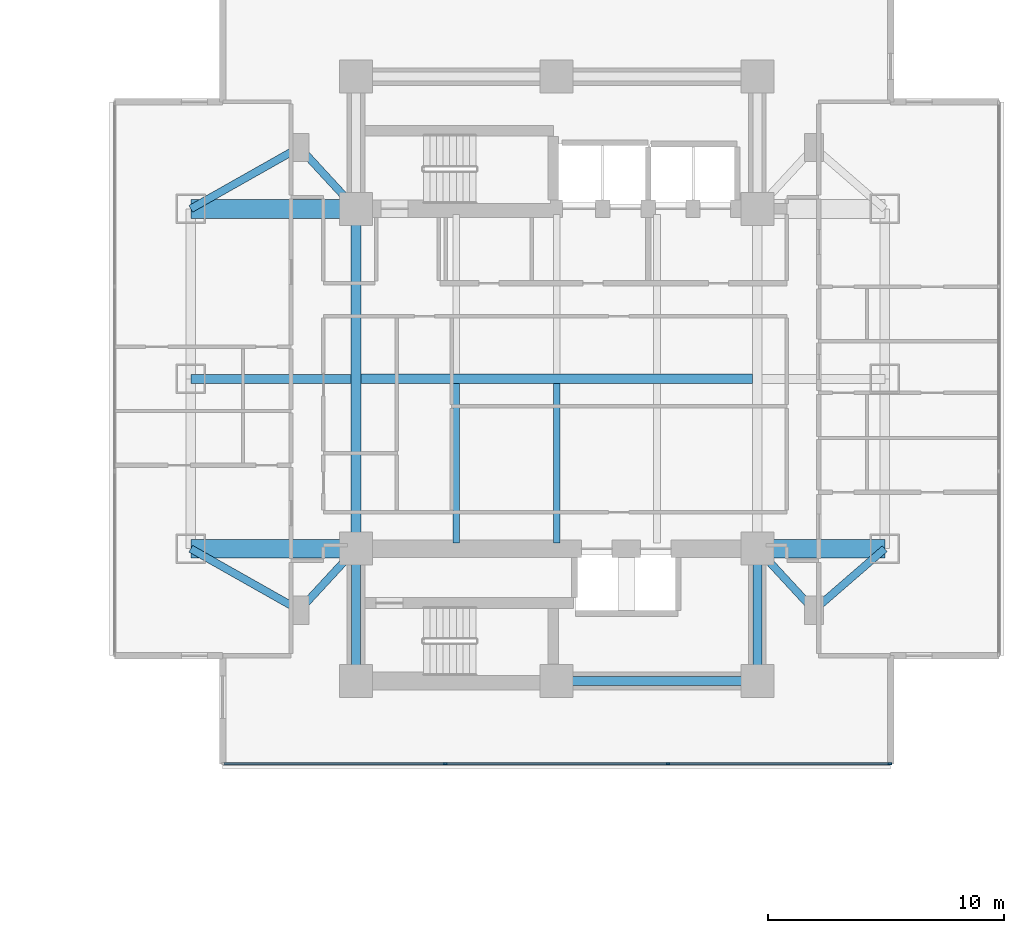
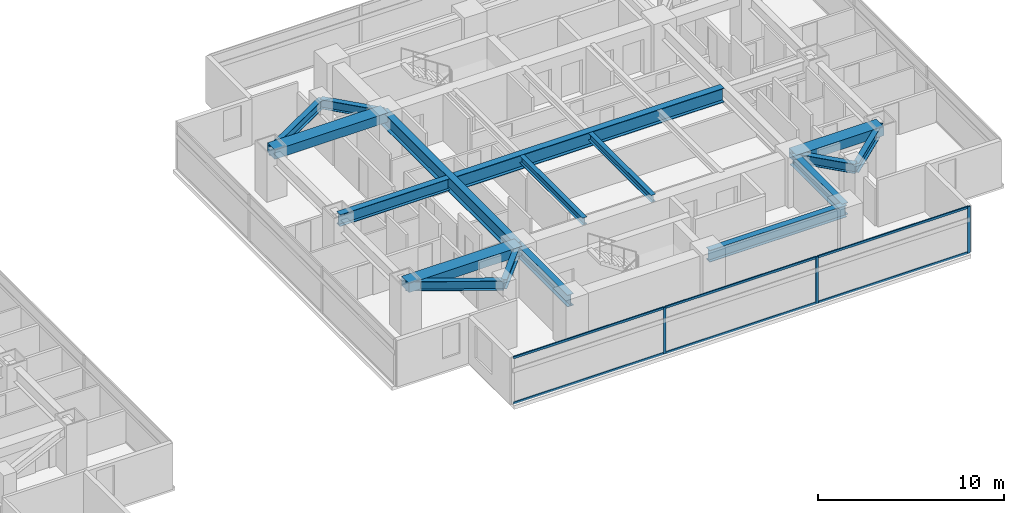
# One storey, part 9 of 25: 17 beams, 9 members, 1 element without a shape of its own.
"""IFC4 building model written with IfcOpenShell, lengths in metres."""

from ifc_helpers import new_model, si_unit, direction, frame, origin, origin_2d, place, context, subcontext, project, spatial, rectangle, i_section, extrude, material, material_profile, profile_set, type_object, element, aggregate, save


model = new_model("IFC4")

# Units and contexts
model_context = context("Model", 3, precision=1e-05, world=origin(), true_north=direction((0.0, 1.0)))
body_context = subcontext(model_context, "Body", "Model", "MODEL_VIEW")
ifc_project = project(units=[si_unit("LENGTHUNIT", "METRE"), si_unit("AREAUNIT", "SQUARE_METRE"), si_unit("VOLUMEUNIT", "CUBIC_METRE"), si_unit("PLANEANGLEUNIT", "RADIAN"), si_unit("MASSUNIT", "GRAM", prefix="KILO")], contexts=[model_context])

# Site, building, storey
site_placement = place(None, origin())
site = spatial("IfcSite", under=ifc_project, at=site_placement, CompositionType="ELEMENT")
building_placement = place(site_placement, origin())
building = spatial("IfcBuilding", under=site, at=building_placement, Name="Mirazonda Arch Towers", CompositionType="ELEMENT")
storey_placement = place(building_placement, frame((0.0, 0.0, 35.60009765625)))
storey = spatial("IfcBuildingStorey", under=building, at=storey_placement, Name="L09", CompositionType="ELEMENT", Elevation=35.60009765625)

# Beams
ifc_material_1 = material(Name="Steel ASTM A992 Grade 50", Category="steel")
ifc_material_profile_1 = material_profile(ifc_material_1, i_section(OverallWidth=0.280029296875, OverallDepth=0.462890625, WebThickness=0.0107421875, FlangeThickness=0.017333984375, at=origin_2d()), Name="W18X76")
ifc_profile_set_1 = profile_set([ifc_material_profile_1], Name="Steel ASTM A992 Grade 50")
beam_type_1 = type_object("IfcBeamType", Name="BM-INT-W18X76", PredefinedType="JOIST", material=ifc_profile_set_1)
for number, where, z_axis, x_axis, name in (
    (1, (72.25, 21.0400390625, 2.828369140625), (0.0, 1.0, 0.0), (-1.0, 0.0, 0.0), "L09 Floor Beam BM-T2-L09-J-722-20"),
    (2, (76.5, 21.0400390625, 2.828369140625), (0.0, 1.0, 0.0), (-1.0, 0.0, 0.0), "L09 Floor Beam BM-T2-L09-J-765-20"),
):
    element("IfcBeam", number, at=place(storey_placement, frame(where, z_axis=z_axis, x_axis=x_axis)), inside=storey, type_object=beam_type_1, Name=name, PredefinedType="JOIST", context=body_context, shape_type="SweptSolid", body=[
        extrude(i_section(OverallWidth=0.280029296875, OverallDepth=0.462890625, WebThickness=0.0107421875, FlangeThickness=0.017333984375, at=origin_2d()), origin(), (0.0, 0.0, 1.0), 6.7548828125),
    ])
ifc_material_profile_2 = material_profile(ifc_material_1, i_section(OverallWidth=0.324951171875, OverallDepth=0.615966796875, WebThickness=0.013916015625, FlangeThickness=0.021484375, at=origin_2d()), Name="W24X117")
ifc_profile_set_2 = profile_set([ifc_material_profile_2], Name="Steel ASTM A992 Grade 50")
beam_type_2 = type_object("IfcBeamType", Name="BM-INT-W24X117", PredefinedType="BEAM", material=ifc_profile_set_2)
beam_1_placement = place(storey_placement, frame((65.60009765625, 18.199951171875, 2.751953125), z_axis=(0.678251444854, 0.734829897019, 0.0), x_axis=(-0.734829897019, 0.678251444854, 0.0)))
element("IfcBeam", 3, at=beam_1_placement, inside=storey, type_object=beam_type_2, Name="L09 Floor Beam BM-T2-L09-PL-SW1", PredefinedType="BEAM", context=body_context, shape_type="SweptSolid", body=[
    extrude(i_section(OverallWidth=0.324951171875, OverallDepth=0.615966796875, WebThickness=0.013916015625, FlangeThickness=0.021484375, at=origin_2d()), origin(), (0.0, 0.0, 1.0), 3.538330078125),
])
beam_2_placement = place(storey_placement, frame((65.60009765625, 18.199951171875, 2.751953125), z_axis=(-0.870559396632, 0.492063346467, 0.0), x_axis=(-0.492063346467, -0.870559396632, 0.0)))
element("IfcBeam", 4, at=beam_2_placement, inside=storey, type_object=beam_type_2, Name="L09 Floor Beam BM-T2-L09-PL-SW2", PredefinedType="BEAM", context=body_context, shape_type="SweptSolid", body=[
    extrude(i_section(OverallWidth=0.324951171875, OverallDepth=0.615966796875, WebThickness=0.013916015625, FlangeThickness=0.021484375, at=origin_2d()), origin(), (0.0, 0.0, 1.0), 5.2841796875),
])
beam_3_placement = place(storey_placement, frame((87.39990234375, 18.199951171875, 2.751953125), z_axis=(-0.678251444854, 0.734829897019, 0.0), x_axis=(-0.734829897019, -0.678251444854, 0.0)))
element("IfcBeam", 5, at=beam_3_placement, inside=storey, type_object=beam_type_2, Name="L09 Floor Beam BM-T2-L09-PL-SE1", PredefinedType="BEAM", context=body_context, shape_type="SweptSolid", body=[
    extrude(i_section(OverallWidth=0.324951171875, OverallDepth=0.615966796875, WebThickness=0.013916015625, FlangeThickness=0.021484375, at=origin_2d()), origin(), (0.0, 0.0, 1.0), 3.538330078125),
])
beam_4_placement = place(storey_placement, frame((87.39990234375, 18.199951171875, 2.751953125), z_axis=(0.755676908098, 0.654944585876, 0.0), x_axis=(-0.654944585876, 0.755676908098, 0.0)))
element("IfcBeam", 6, at=beam_4_placement, inside=storey, type_object=beam_type_2, Name="L09 Floor Beam BM-T2-L09-PL-SE2", PredefinedType="BEAM", context=body_context, shape_type="SweptSolid", body=[
    extrude(i_section(OverallWidth=0.324951171875, OverallDepth=0.615966796875, WebThickness=0.013916015625, FlangeThickness=0.021484375, at=origin_2d()), origin(), (0.0, 0.0, 1.0), 3.969970703125),
])
beam_5_placement = place(storey_placement, frame((65.60009765625, 37.800048828125, 2.751953125), z_axis=(0.678251444854, -0.734829897019, 0.0), x_axis=(0.734829897019, 0.678251444854, 0.0)))
element("IfcBeam", 7, at=beam_5_placement, inside=storey, type_object=beam_type_2, Name="L09 Floor Beam BM-T2-L09-PL-NW1", PredefinedType="BEAM", context=body_context, shape_type="SweptSolid", body=[
    extrude(i_section(OverallWidth=0.324951171875, OverallDepth=0.615966796875, WebThickness=0.013916015625, FlangeThickness=0.021484375, at=origin_2d()), origin(), (0.0, 0.0, 1.0), 3.538330078125),
])
beam_6_placement = place(storey_placement, frame((65.60009765625, 37.800048828125, 2.751953125), z_axis=(-0.870559396632, -0.492063346467, 0.0), x_axis=(0.492063346467, -0.870559396632, 0.0)))
element("IfcBeam", 8, at=beam_6_placement, inside=storey, type_object=beam_type_2, Name="L09 Floor Beam BM-T2-L09-PL-NW2", PredefinedType="BEAM", context=body_context, shape_type="SweptSolid", body=[
    extrude(i_section(OverallWidth=0.324951171875, OverallDepth=0.615966796875, WebThickness=0.013916015625, FlangeThickness=0.021484375, at=origin_2d()), origin(), (0.0, 0.0, 1.0), 5.2841796875),
])
ifc_material_profile_3 = material_profile(ifc_material_1, i_section(OverallWidth=0.381103515625, OverallDepth=0.77294921875, WebThickness=0.0166015625, FlangeThickness=0.027099609375, at=origin_2d()), Name="W30X173")
ifc_profile_set_3 = profile_set([ifc_material_profile_3], Name="Steel ASTM A992 Grade 50")
beam_type_3 = type_object("IfcBeamType", Name="BM-INT-W30X173", PredefinedType="USERDEFINED", material=ifc_profile_set_3)
beam_7_placement = place(storey_placement, frame((76.5, 15.199951171875, 2.67333984375), z_axis=(1.0, 0.0, 0.0), x_axis=(0.0, 1.0, 0.0)))
element("IfcBeam", 9, at=beam_7_placement, inside=storey, type_object=beam_type_3, Name="L09 Floor Beam BM-T2-L09-CS2", ObjectType="GIRDER", PredefinedType="USERDEFINED", context=body_context, shape_type="SweptSolid", body=[
    extrude(i_section(OverallWidth=0.381103515625, OverallDepth=0.77294921875, WebThickness=0.0166015625, FlangeThickness=0.027099609375, at=origin_2d()), origin(), (0.0, 0.0, 1.0), 8.5),
])
for number, where, z_axis, x_axis, name in (
    (10, (68.0, 15.199951171875, 2.67333984375), (0.0, 1.0, 0.0), (-1.0, 0.0, 0.0), "L09 Floor Beam BM-T2-L09-CSW"),
    (11, (85.0, 15.199951171875, 2.67333984375), (0.0, 1.0, 0.0), (-1.0, 0.0, 0.0), "L09 Floor Beam BM-T2-L09-CSE"),
):
    element("IfcBeam", number, at=place(storey_placement, frame(where, z_axis=z_axis, x_axis=x_axis)), inside=storey, type_object=beam_type_3, Name=name, ObjectType="GIRDER", PredefinedType="USERDEFINED", context=body_context, shape_type="SweptSolid", body=[
        extrude(i_section(OverallWidth=0.381103515625, OverallDepth=0.77294921875, WebThickness=0.0166015625, FlangeThickness=0.027099609375, at=origin_2d()), origin(), (0.0, 0.0, 1.0), 5.60009765625),
    ])
beam_8_placement = place(storey_placement, frame((61.0, 28.0, 2.67333984375), z_axis=(1.0, 0.0, 0.0), x_axis=(0.0, 1.0, 0.0)))
element("IfcBeam", 12, at=beam_8_placement, inside=storey, type_object=beam_type_3, Name="L09 Floor Beam BM-T2-L09-GW2", ObjectType="GIRDER", PredefinedType="USERDEFINED", context=body_context, shape_type="SweptSolid", body=[
    extrude(i_section(OverallWidth=0.381103515625, OverallDepth=0.77294921875, WebThickness=0.0166015625, FlangeThickness=0.027099609375, at=origin_2d()), origin(), (0.0, 0.0, 1.0), 6.791015625),
])
ifc_material_profile_4 = material_profile(ifc_material_1, i_section(OverallWidth=0.41796875, OverallDepth=0.927001953125, WebThickness=0.019287109375, FlangeThickness=0.031982421875, at=origin_2d()), Name="W36X231")
ifc_profile_set_4 = profile_set([ifc_material_profile_4], Name="Steel ASTM A992 Grade 50")
beam_type_4 = type_object("IfcBeamType", Name="BM-INT-W36X231", PredefinedType="USERDEFINED", material=ifc_profile_set_4)
beam_9_placement = place(storey_placement, frame((68.208984375, 28.0, 2.596435546875), z_axis=(1.0, 0.0, 0.0), x_axis=(0.0, 1.0, 0.0)))
element("IfcBeam", 13, at=beam_9_placement, inside=storey, type_object=beam_type_4, Name="L09 Floor Beam BM-T2-L09-GC2", ObjectType="GIRDER", PredefinedType="USERDEFINED", context=body_context, shape_type="SweptSolid", body=[
    extrude(i_section(OverallWidth=0.41796875, OverallDepth=0.927001953125, WebThickness=0.019287109375, FlangeThickness=0.031982421875, at=origin_2d()), origin(), (0.0, 0.0, 1.0), 16.58203125),
])
beam_10_placement = place(storey_placement, frame((68.0, 20.800048828125, 2.596435546875), z_axis=(0.0, 1.0, 0.0), x_axis=(-1.0, 0.0, 0.0)))
element("IfcBeam", 14, at=beam_10_placement, inside=storey, type_object=beam_type_4, Name="L09 Floor Beam BM-T2-L09-NS-CW-FULL", ObjectType="GIRDER", PredefinedType="USERDEFINED", context=body_context, shape_type="SweptSolid", body=[
    extrude(i_section(OverallWidth=0.41796875, OverallDepth=0.927001953125, WebThickness=0.019287109375, FlangeThickness=0.031982421875, at=origin_2d()), origin(), (0.0, 0.0, 1.0), 14.39990234375),
])
ifc_material_2 = material(Name="Concrete C60/75", Category="concrete")
ifc_material_profile_5 = material_profile(ifc_material_2, rectangle(XDim=0.800048828125, YDim=0.60009765625, at=origin_2d()), Name="RCCB800x600")
ifc_profile_set_5 = profile_set([ifc_material_profile_5], Name="Concrete C60/75")
beam_type_5 = type_object("IfcBeamType", Name="CB-INT-RCCB800x600", PredefinedType="SPANDREL", material=ifc_profile_set_5)
for number, where, z_axis, x_axis, name in (
    (15, (61.0, 35.199951171875, 2.760009765625), (1.0, 0.0, 0.0), (0.0, 1.0, 0.0), "L09 Floor Beam CBC-T2-L09-NW"),
    (16, (61.0, 20.800048828125, 2.760009765625), (1.0, 0.0, 0.0), (0.0, 1.0, 0.0), "L09 Floor Beam CBC-T2-L09-SW"),
):
    element("IfcBeam", number, at=place(storey_placement, frame(where, z_axis=z_axis, x_axis=x_axis)), inside=storey, type_object=beam_type_5, Name=name, PredefinedType="SPANDREL", context=body_context, shape_type="SweptSolid", body=[
        extrude(rectangle(XDim=0.800048828125, YDim=0.60009765625, at=origin_2d()), origin(), (0.0, 0.0, 1.0), 7.0),
    ])
beam_11_placement = place(storey_placement, frame((85.0, 20.800048828125, 2.760009765625), z_axis=(1.0, 0.0, 0.0), x_axis=(0.0, 1.0, 0.0)))
element("IfcBeam", 17, at=beam_11_placement, inside=storey, type_object=beam_type_5, Name="L09 Floor Beam CBC-T2-L09-SE", PredefinedType="SPANDREL", context=body_context, shape_type="SweptSolid", body=[
    extrude(rectangle(XDim=0.800048828125, YDim=0.60009765625, at=origin_2d()), origin(), (0.0, 0.0, 1.0), 5.39990234375),
])

# Curtain wall, members
ifc_material_3 = material(Name="Anodised Aluminium and Low-E Glass", Category="aluminium")
curtain_wall_type = type_object("IfcCurtainWallType", Name="CW-HTL-UNIT", PredefinedType="NOTDEFINED", material=ifc_material_3)
curtain_wall_placement = place(storey_placement, origin())
curtain_wall = element("IfcCurtainWall", 18, at=curtain_wall_placement, inside=storey, type_object=curtain_wall_type, Name="L09 T2 S Facade CW-L09-T2-S", PredefinedType="NOTDEFINED")
ifc_material_4 = material(Name="Anodised Aluminium Alloy", Category="aluminium")
ifc_material_profile_6 = material_profile(ifc_material_4, rectangle(XDim=0.074951171875, YDim=0.1650390625, at=origin_2d()), Name="ALU-MULL-75x165")
ifc_profile_set_6 = profile_set([ifc_material_profile_6], Name="Anodised Aluminium Alloy")
member_type_1 = type_object("IfcMemberType", Name="MULL-CW-HTL-UNIT", PredefinedType="MULLION", material=ifc_profile_set_6)
member_1_placement = place(storey_placement, frame((90.614501953125, 11.686767578125, 0.0), z_axis=(0.0, 0.0, 1.0), x_axis=(0.0, -1.0, 0.0)))
member_1 = element("IfcMember", 19, at=member_1_placement, type_object=member_type_1, Name="CW-112 mullion 1", PredefinedType="MULLION", context=body_context, shape_type="SweptSolid", body=[
    extrude(rectangle(XDim=0.074951171875, YDim=0.1650390625, at=origin_2d()), origin(), (0.0, 0.0, 1.0), 3.039794921875),
])
member_2_placement = place(storey_placement, frame((81.21728515625, 11.686767578125, 0.0), z_axis=(0.0, 0.0, 1.0), x_axis=(0.0, -1.0, 0.0)))
member_2 = element("IfcMember", 20, at=member_2_placement, type_object=member_type_1, Name="CW-112 mullion 2", PredefinedType="MULLION", context=body_context, shape_type="SweptSolid", body=[
    extrude(rectangle(XDim=0.074951171875, YDim=0.1650390625, at=origin_2d()), origin(), (0.0, 0.0, 1.0), 3.039794921875),
])
member_3_placement = place(storey_placement, frame((71.78271484375, 11.686767578125, 0.0), z_axis=(0.0, 0.0, 1.0), x_axis=(0.0, -1.0, 0.0)))
member_3 = element("IfcMember", 21, at=member_3_placement, type_object=member_type_1, Name="CW-112 mullion 3", PredefinedType="MULLION", context=body_context, shape_type="SweptSolid", body=[
    extrude(rectangle(XDim=0.074951171875, YDim=0.1650390625, at=origin_2d()), origin(), (0.0, 0.0, 1.0), 3.039794921875),
])
ifc_material_profile_7 = material_profile(ifc_material_4, rectangle(XDim=0.074951171875, YDim=0.14501953125, at=origin_2d()), Name="ALU-TRAN-75x145")
ifc_profile_set_7 = profile_set([ifc_material_profile_7], Name="Anodised Aluminium Alloy")
member_type_2 = type_object("IfcMemberType", Name="TRAN-CW-HTL-UNIT", PredefinedType="USERDEFINED", material=ifc_profile_set_7)
member_4_placement = place(storey_placement, frame((90.576904296875, 11.686767578125, 0.037353515625), z_axis=(-1.0, 0.0, 0.0), x_axis=(0.0, -1.0, 0.0)))
member_4 = element("IfcMember", 22, at=member_4_placement, type_object=member_type_2, Name="CW-112 transom 1.1", ObjectType="TRANSOM", PredefinedType="USERDEFINED", context=body_context, shape_type="SweptSolid", body=[
    extrude(rectangle(XDim=0.074951171875, YDim=0.14501953125, at=origin_2d()), origin(), (0.0, 0.0, 1.0), 9.322021484375),
])
member_5_placement = place(storey_placement, frame((90.576904296875, 11.686767578125, 3.00244140625), z_axis=(-1.0, 0.0, 0.0), x_axis=(0.0, -1.0, 0.0)))
member_5 = element("IfcMember", 23, at=member_5_placement, type_object=member_type_2, Name="CW-112 transom 1.2", ObjectType="TRANSOM", PredefinedType="USERDEFINED", context=body_context, shape_type="SweptSolid", body=[
    extrude(rectangle(XDim=0.074951171875, YDim=0.14501953125, at=origin_2d()), origin(), (0.0, 0.0, 1.0), 9.322021484375),
])
member_6_placement = place(storey_placement, frame((81.179931640625, 11.686767578125, 0.037353515625), z_axis=(-1.0, 0.0, 0.0), x_axis=(0.0, -1.0, 0.0)))
member_6 = element("IfcMember", 24, at=member_6_placement, type_object=member_type_2, Name="CW-112 transom 2.1", ObjectType="TRANSOM", PredefinedType="USERDEFINED", context=body_context, shape_type="SweptSolid", body=[
    extrude(rectangle(XDim=0.074951171875, YDim=0.14501953125, at=origin_2d()), origin(), (0.0, 0.0, 1.0), 9.35986328125),
])
member_7_placement = place(storey_placement, frame((81.179931640625, 11.686767578125, 3.00244140625), z_axis=(-1.0, 0.0, 0.0), x_axis=(0.0, -1.0, 0.0)))
member_7 = element("IfcMember", 25, at=member_7_placement, type_object=member_type_2, Name="CW-112 transom 2.2", ObjectType="TRANSOM", PredefinedType="USERDEFINED", context=body_context, shape_type="SweptSolid", body=[
    extrude(rectangle(XDim=0.074951171875, YDim=0.14501953125, at=origin_2d()), origin(), (0.0, 0.0, 1.0), 9.35986328125),
])
member_8_placement = place(storey_placement, frame((71.7451171875, 11.686767578125, 0.037353515625), z_axis=(-1.0, 0.0, 0.0), x_axis=(0.0, -1.0, 0.0)))
member_8 = element("IfcMember", 26, at=member_8_placement, type_object=member_type_2, Name="CW-112 transom 3.1", ObjectType="TRANSOM", PredefinedType="USERDEFINED", context=body_context, shape_type="SweptSolid", body=[
    extrude(rectangle(XDim=0.074951171875, YDim=0.14501953125, at=origin_2d()), origin(), (0.0, 0.0, 1.0), 9.322021484375),
])
member_9_placement = place(storey_placement, frame((71.7451171875, 11.686767578125, 3.00244140625), z_axis=(-1.0, 0.0, 0.0), x_axis=(0.0, -1.0, 0.0)))
member_9 = element("IfcMember", 27, at=member_9_placement, type_object=member_type_2, Name="CW-112 transom 3.2", ObjectType="TRANSOM", PredefinedType="USERDEFINED", context=body_context, shape_type="SweptSolid", body=[
    extrude(rectangle(XDim=0.074951171875, YDim=0.14501953125, at=origin_2d()), origin(), (0.0, 0.0, 1.0), 9.322021484375),
])
aggregate(curtain_wall, [member_1, member_2, member_3, member_4, member_5, member_6, member_7, member_8, member_9])

save(model, "model.ifc")
